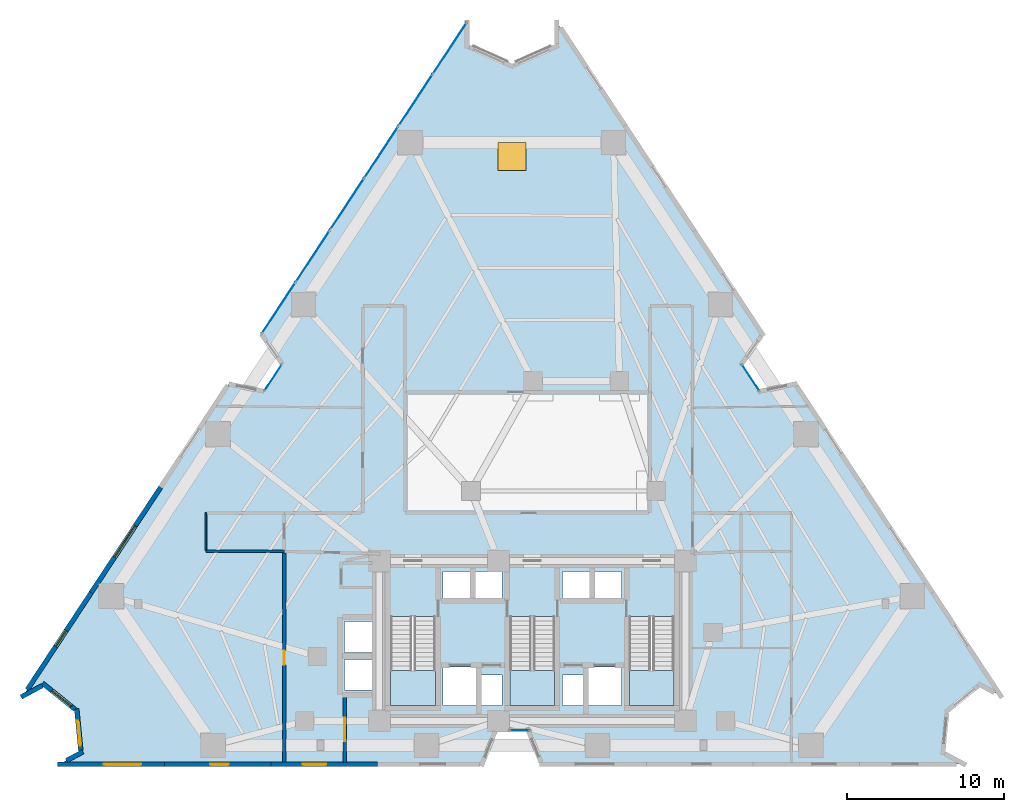
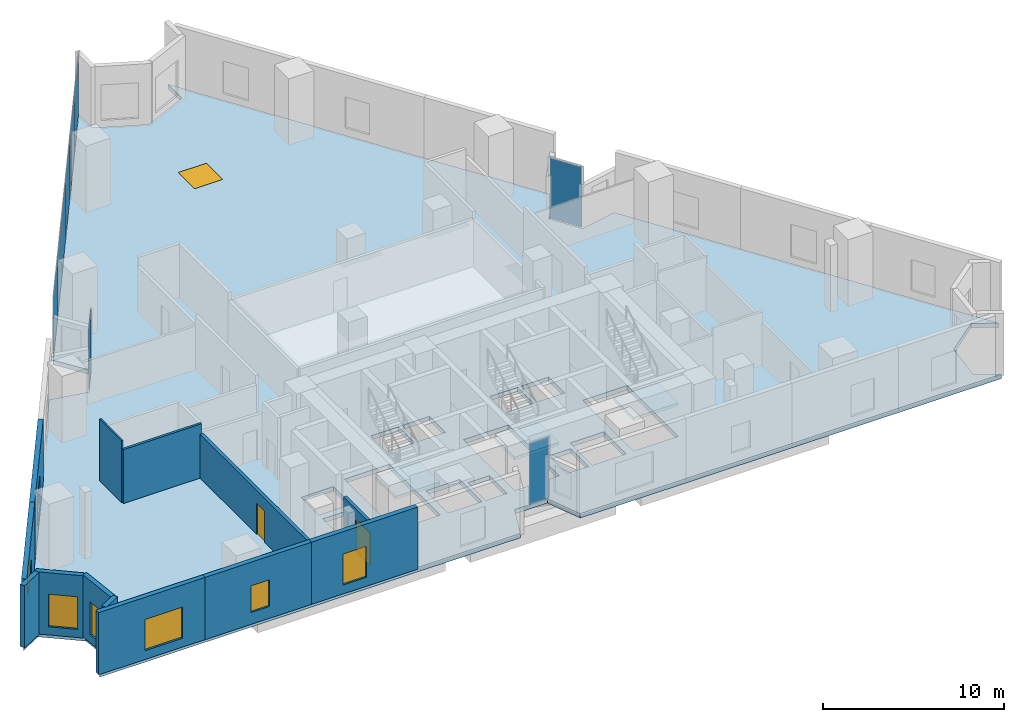
# One storey, part 6 of 12: 13 walls, 9 plates, 8 windows, 4 slabs, 2 doors, 10 openings, 9 elements without a shape of their own.
"""IFC4 building model written with IfcOpenShell, lengths in metres."""

from ifc_helpers import new_model, si_unit, direction, frame, frame_2d, origin, origin_2d, place, context, subcontext, project, spatial, polyline, rectangle, outline, extrude, material, layer, layer_set, type_object, element, fill, aggregate, save


model = new_model("IFC4")

# Units and contexts
model_context = context("Model", 3, precision=1e-05, world=origin(), true_north=direction((0.0, 1.0)))
body_context = subcontext(model_context, "Body", "Model", "MODEL_VIEW")
ifc_project = project(units=[si_unit("LENGTHUNIT", "METRE"), si_unit("AREAUNIT", "SQUARE_METRE"), si_unit("VOLUMEUNIT", "CUBIC_METRE"), si_unit("PLANEANGLEUNIT", "RADIAN"), si_unit("MASSUNIT", "GRAM", prefix="KILO")], contexts=[model_context])

# Site, building, storey
site_placement = place(None, origin())
site = spatial("IfcSite", under=ifc_project, at=site_placement, CompositionType="ELEMENT")
building_placement = place(site_placement, origin())
building = spatial("IfcBuilding", under=site, at=building_placement, Name="Almagre Mirador Tower", CompositionType="ELEMENT")
storey_placement = place(building_placement, frame((0.0, 0.0, 12.89990234375)))
storey = spatial("IfcBuildingStorey", under=building, at=storey_placement, Name="L02", CompositionType="ELEMENT", Elevation=12.89990234375)

# Curtain wall, plate
ifc_material_1 = material(Name="Black anodized aluminium", Category="aluminium")
ifc_layer_1 = layer(ifc_material_1, 0.169921875)
ifc_layer_set_1 = layer_set([ifc_layer_1], Name="Black anodized aluminium")
curtain_wall_type_1 = type_object("IfcCurtainWallType", Name="CW-CRS-SYS", PredefinedType="NOTDEFINED", material=ifc_layer_set_1)
curtain_wall_1_placement = place(storey_placement, origin())
curtain_wall_1 = element("IfcCurtainWall", 1, at=curtain_wall_1_placement, inside=storey, type_object=curtain_wall_type_1, Name="L02 vertical crease curtain wall 01", PredefinedType="NOTDEFINED")
ifc_material_2 = material(Name="Dark solar-control laminated hurricane glass", Category="glass")
ifc_layer_2 = layer(ifc_material_2, 0.028076171875)
ifc_layer_set_2 = layer_set([ifc_layer_2], Name="Dark solar-control laminated hurricane glass")
plate_type_1 = type_object("IfcPlateType", Name="PLT-GLZ-28", PredefinedType="CURTAIN_PANEL", material=ifc_layer_set_2)
plate_1_placement = place(storey_placement, frame((20.794921875, 26.4169921875, 0.06005859375), z_axis=(0.0, 0.0, 1.0), x_axis=(0.550055665535, 0.835127993072, 0.0)))
plate_1 = element("IfcPlate", 2, at=plate_1_placement, type_object=plate_type_1, Name="CW-4 panel 1.1", PredefinedType="CURTAIN_PANEL", context=body_context, shape_type="SweptSolid", body=[
    extrude(rectangle(XDim=1.970703125, YDim=0.028076171875, at=origin_2d()), origin(), (0.0, 0.0, 1.0), 4.080078125),
])
aggregate(curtain_wall_1, [plate_1])

curtain_wall_2_placement = place(storey_placement, origin())
curtain_wall_2 = element("IfcCurtainWall", 3, at=curtain_wall_2_placement, inside=storey, type_object=curtain_wall_type_1, Name="L02 vertical crease curtain wall 05", PredefinedType="NOTDEFINED")
plate_2_placement = place(storey_placement, frame((51.205078125, 26.4169921875, 0.06005859375), z_axis=(0.0, 0.0, 1.0), x_axis=(0.550055665535, -0.835127993072, 0.0)))
plate_2 = element("IfcPlate", 4, at=plate_2_placement, type_object=plate_type_1, Name="CW-4 panel 1.1", PredefinedType="CURTAIN_PANEL", context=body_context, shape_type="SweptSolid", body=[
    extrude(rectangle(XDim=1.970703125, YDim=0.028076171875, at=origin_2d()), origin(), (0.0, 0.0, 1.0), 4.080078125),
])
aggregate(curtain_wall_2, [plate_2])

curtain_wall_3_placement = place(storey_placement, origin())
curtain_wall_3 = element("IfcCurtainWall", 5, at=curtain_wall_3_placement, inside=storey, type_object=curtain_wall_type_1, Name="L02 vertical crease curtain wall 06", PredefinedType="NOTDEFINED")
plate_3_placement = place(storey_placement, frame((36.49853515625, 3.949951171875, 0.06005859375), z_axis=(0.0, 0.0, 1.0), x_axis=(-1.0, 0.0, 0.0)))
plate_3 = element("IfcPlate", 6, at=plate_3_placement, type_object=plate_type_1, Name="CW-4 panel 1.1", PredefinedType="CURTAIN_PANEL", context=body_context, shape_type="SweptSolid", body=[
    extrude(rectangle(XDim=1.2529296875, YDim=0.028076171875, at=origin_2d()), origin(), (0.0, 0.0, 1.0), 4.080078125),
])
aggregate(curtain_wall_3, [plate_3])

# Curtain wall, plates
ifc_material_3 = material(Name="Black anodized aluminium", Category="aluminium")
ifc_layer_3 = layer(ifc_material_3, 0.219970703125)
ifc_layer_set_3 = layer_set([ifc_layer_3], Name="Black anodized aluminium")
curtain_wall_type_2 = type_object("IfcCurtainWallType", Name="CW-POD-SYS", PredefinedType="NOTDEFINED", material=ifc_layer_set_3)
curtain_wall_4_placement = place(storey_placement, origin())
curtain_wall_4 = element("IfcCurtainWall", 7, at=curtain_wall_4_placement, inside=storey, type_object=curtain_wall_type_2, Name="L02 curtain wall run 02", PredefinedType="NOTDEFINED")
ifc_material_4 = material(Name="Dark solar-control laminated hurricane glass", Category="glass")
ifc_layer_4 = layer(ifc_material_4, 0.035888671875)
ifc_layer_set_4 = layer_set([ifc_layer_4], Name="Dark solar-control laminated hurricane glass")
plate_type_2 = type_object("IfcPlateType", Name="PLT-GLZ-36", PredefinedType="CURTAIN_PANEL", material=ifc_layer_set_4)
plate_4_placement = place(storey_placement, frame((21.145751953125, 30.857421875, 0.06494140625), z_axis=(0.0, 0.0, 1.0), x_axis=(0.550232464181, 0.835011518101, 0.0)))
plate_4 = element("IfcPlate", 8, at=plate_4_placement, type_object=plate_type_2, Name="CW-1 panel 1.1", PredefinedType="CURTAIN_PANEL", context=body_context, shape_type="SweptSolid", body=[
    extrude(rectangle(XDim=3.861328125, YDim=0.035888671875, at=origin_2d()), origin(), (0.0, 0.0, 1.0), 4.070068359375),
])
plate_5_placement = place(storey_placement, frame((23.308837890625, 34.14013671875, 0.06494140625), z_axis=(0.0, 0.0, 1.0), x_axis=(0.550232464181, 0.835011518101, 0.0)))
plate_5 = element("IfcPlate", 9, at=plate_5_placement, type_object=plate_type_2, Name="CW-1 panel 2.1", PredefinedType="CURTAIN_PANEL", context=body_context, shape_type="SweptSolid", body=[
    extrude(rectangle(XDim=3.861328125, YDim=0.035888671875, at=origin_2d()), origin(), (0.0, 0.0, 1.0), 4.070068359375),
])
aggregate(curtain_wall_4, [plate_4, plate_5])

curtain_wall_5_placement = place(storey_placement, origin())
curtain_wall_5 = element("IfcCurtainWall", 10, at=curtain_wall_5_placement, inside=storey, type_object=curtain_wall_type_2, Name="L02 curtain wall run 03", PredefinedType="NOTDEFINED")
plate_6_placement = place(storey_placement, frame((25.510498046875, 37.481201171875, 0.06494140625), z_axis=(0.0, 0.0, 1.0), x_axis=(0.550229466396, 0.835013493489, 0.0)))
plate_6 = element("IfcPlate", 11, at=plate_6_placement, type_object=plate_type_2, Name="CW-1 panel 1.1", PredefinedType="CURTAIN_PANEL", context=body_context, shape_type="SweptSolid", body=[
    extrude(rectangle(XDim=3.861083984375, YDim=0.035888671875, at=origin_2d()), origin(), (0.0, 0.0, 1.0), 4.070068359375),
])
plate_7_placement = place(storey_placement, frame((27.673583984375, 40.763671875, 0.06494140625), z_axis=(0.0, 0.0, 1.0), x_axis=(0.550229466396, 0.835013493489, 0.0)))
plate_7 = element("IfcPlate", 12, at=plate_7_placement, type_object=plate_type_2, Name="CW-1 panel 2.1", PredefinedType="CURTAIN_PANEL", context=body_context, shape_type="SweptSolid", body=[
    extrude(rectangle(XDim=3.861083984375, YDim=0.035888671875, at=origin_2d()), origin(), (0.0, 0.0, 1.0), 4.070068359375),
])
aggregate(curtain_wall_5, [plate_6, plate_7])

curtain_wall_6_placement = place(storey_placement, origin())
curtain_wall_6 = element("IfcCurtainWall", 13, at=curtain_wall_6_placement, inside=storey, type_object=curtain_wall_type_2, Name="L02 curtain wall run 04", PredefinedType="NOTDEFINED")
plate_8_placement = place(storey_placement, frame((29.875, 44.104736328125, 0.06494140625), z_axis=(0.0, 0.0, 1.0), x_axis=(0.550232464181, 0.835011518101, 0.0)))
plate_8 = element("IfcPlate", 14, at=plate_8_placement, type_object=plate_type_2, Name="CW-1 panel 1.1", PredefinedType="CURTAIN_PANEL", context=body_context, shape_type="SweptSolid", body=[
    extrude(rectangle(XDim=3.861328125, YDim=0.035888671875, at=origin_2d()), origin(), (0.0, 0.0, 1.0), 4.070068359375),
])
plate_9_placement = place(storey_placement, frame((32.0380859375, 47.387451171875, 0.06494140625), z_axis=(0.0, 0.0, 1.0), x_axis=(0.550232464181, 0.835011518101, 0.0)))
plate_9 = element("IfcPlate", 15, at=plate_9_placement, type_object=plate_type_2, Name="CW-1 panel 2.1", PredefinedType="CURTAIN_PANEL", context=body_context, shape_type="SweptSolid", body=[
    extrude(rectangle(XDim=3.861328125, YDim=0.035888671875, at=origin_2d()), origin(), (0.0, 0.0, 1.0), 4.070068359375),
])
aggregate(curtain_wall_6, [plate_8, plate_9])

# Slab, opening, window
ifc_material_5 = material(Name="Concrete C45/55", Category="concrete")
ifc_layer_5 = layer(ifc_material_5, 0.300048828125)
ifc_layer_set_5 = layer_set([ifc_layer_5], Name="Concrete C45/55")
slab_type_1 = type_object("IfcSlabType", Name="SLB-FLR-300", PredefinedType="FLOOR", material=ifc_layer_set_5)
slab_1_placement = place(storey_placement, frame((0.0, 0.0, -0.2998046875)))
slab_1 = element("IfcSlab", 16, at=slab_1_placement, inside=storey, type_object=slab_type_1, Name="L02 structural floor slab", PredefinedType="FLOOR", context=body_context, shape_type="SweptSolid", body=[
    extrude(outline(polyline([(4.861083984375, 6.14208984375), (6.2080078125, 6.867919921875), (8.2900390625, 5.18798828125), (8.547119140625, 2.52587890625), (7.199951171875, 1.800048828125), (34.10009765625, 1.800048828125), (34.955078125, 3.949951171875), (37.044921875, 3.949951171875), (37.89990234375, 1.800048828125), (64.800048828125, 1.800048828125), (63.452880859375, 2.52587890625), (63.7099609375, 5.18798828125), (65.7919921875, 6.867919921875), (67.138916015625, 6.14208984375), (54.044921875, 26.012939453125), (51.780029296875, 25.5439453125), (50.6298828125, 27.2900390625), (51.955078125, 29.18701171875), (38.861083984375, 49.05810546875), (38.861083984375, 47.528076171875), (36.0, 46.256103515625), (33.138916015625, 47.528076171875), (33.138916015625, 49.05810546875), (20.044921875, 29.18701171875), (21.3701171875, 27.2900390625), (20.219970703125, 25.5439453125), (17.955078125, 26.012939453125), (4.861083984375, 6.14208984375)]), holes=[polyline([(43.47509765625, 11.196044921875), (46.324951171875, 11.196044921875), (46.324951171875, 5.550048828125), (43.47509765625, 5.550048828125), (43.47509765625, 11.196044921875)]), polyline([(40.820068359375, 5.52001953125), (40.820068359375, 7.97998046875), (42.97998046875, 7.97998046875), (42.97998046875, 5.52001953125), (40.820068359375, 5.52001953125)]), polyline([(41.219970703125, 12.320068359375), (41.219970703125, 14.080078125), (42.97998046875, 14.080078125), (42.97998046875, 12.320068359375), (41.219970703125, 12.320068359375)]), polyline([(39.219970703125, 12.320068359375), (39.219970703125, 14.080078125), (40.97998046875, 14.080078125), (40.97998046875, 12.320068359375), (39.219970703125, 12.320068359375)]), polyline([(39.219970703125, 5.52001953125), (39.219970703125, 7.47998046875), (40.580078125, 7.47998046875), (40.580078125, 5.52001953125), (39.219970703125, 5.52001953125)]), polyline([(35.875, 11.196044921875), (38.72509765625, 11.196044921875), (38.72509765625, 5.550048828125), (35.875, 5.550048828125), (35.875, 11.196044921875)]), polyline([(35.3798828125, 5.52001953125), (34.02001953125, 5.52001953125), (34.02001953125, 7.47998046875), (35.3798828125, 7.47998046875), (35.3798828125, 5.52001953125)]), polyline([(35.3798828125, 12.320068359375), (33.6201171875, 12.320068359375), (33.6201171875, 14.080078125), (35.3798828125, 14.080078125), (35.3798828125, 12.320068359375)]), polyline([(31.6201171875, 5.52001953125), (31.6201171875, 7.97998046875), (33.780029296875, 7.97998046875), (33.780029296875, 5.52001953125), (31.6201171875, 5.52001953125)]), polyline([(31.6201171875, 12.320068359375), (31.6201171875, 14.080078125), (33.3798828125, 14.080078125), (33.3798828125, 12.320068359375), (31.6201171875, 12.320068359375)]), polyline([(28.27490234375, 5.550048828125), (28.27490234375, 11.196044921875), (31.125, 11.196044921875), (31.125, 5.550048828125), (28.27490234375, 5.550048828125)]), polyline([(25.320068359375, 6.52001953125), (25.320068359375, 8.47998046875), (27.3798828125, 8.47998046875), (27.3798828125, 6.52001953125), (25.320068359375, 6.52001953125)]), polyline([(25.320068359375, 8.919921875), (25.320068359375, 10.8798828125), (27.3798828125, 10.8798828125), (27.3798828125, 8.919921875), (25.320068359375, 8.919921875)])]), origin(), (0.0, 0.0, 1.0), 0.2998046875),
])
opening_1_placement = place(slab_1_placement, frame((36.0, 40.5, 0.0)))
opening_1 = element("IfcOpeningElement", 17, at=opening_1_placement, cuts=slab_1, Name="Opening SK-01", PredefinedType="OPENING", context=body_context, shape_type="SweptSolid", body=[
    extrude(rectangle(XDim=1.800048828125, YDim=1.800048828125, at=origin_2d()), origin(), (0.0, 0.0, 1.0), 0.2998046875),
])
ifc_material_6 = material(Name="Dark solar-control laminated hurricane glass", Category="glass")
window_type_1 = type_object("IfcWindowType", Name="SKY-1800X1800", PartitioningType="SINGLE_PANEL", PredefinedType="SKYLIGHT", material=ifc_material_6)
window_1_placement = place(opening_1_placement, frame((0.0, 0.0, 0.249755859375)))
window_1 = element("IfcWindow", 18, at=window_1_placement, inside=storey, type_object=window_type_1, Name="L02 atrium lightwell skylight 2", OverallHeight=1.800048828125, OverallWidth=1.800048828125, PartitioningType="SINGLE_PANEL", PredefinedType="SKYLIGHT", context=body_context, shape_type="SweptSolid", body=[
    extrude(rectangle(XDim=1.800048828125, YDim=1.800048828125, at=origin_2d()), origin(), (0.0, 0.0, 1.0), 0.050048828125),
])
fill(opening_1, window_1)

# Stair, slab
ifc_material_7 = material(Name="Concrete C45/55", Category="concrete")
stair_type = type_object("IfcStairType", Name="STR-DL-4500", PredefinedType="HALF_TURN_STAIR", material=ifc_material_7)
stair_1_placement = place(storey_placement, origin())
stair_1 = element("IfcStair", 19, at=stair_1_placement, inside=storey, type_object=stair_type, Name="L02 Protected exit stair ST-1", PredefinedType="HALF_TURN_STAIR")
ifc_material_8 = material(Name="Concrete C45/55", Category="concrete")
ifc_layer_6 = layer(ifc_material_8, 0.199951171875)
ifc_layer_set_6 = layer_set([ifc_layer_6], Name="Concrete C45/55")
slab_type_2 = type_object("IfcSlabType", Name="SLB-LND-200", PredefinedType="LANDING", material=ifc_layer_set_6)
slab_2_placement = place(storey_placement, frame((0.0, 0.0, 2.050048828125)))
slab_2 = element("IfcSlab", 20, at=slab_2_placement, type_object=slab_type_2, Name="ST-1 landing 1", PredefinedType="LANDING", context=body_context, shape_type="SweptSolid", body=[
    extrude(outline(polyline([(28.27490234375, 7.780029296875), (28.27490234375, 5.550048828125), (31.125, 5.550048828125), (31.125, 7.780029296875), (28.27490234375, 7.780029296875)])), origin(), (0.0, 0.0, 1.0), 0.199951171875),
])
aggregate(stair_1, [slab_2])

stair_2_placement = place(storey_placement, origin())
stair_2 = element("IfcStair", 21, at=stair_2_placement, inside=storey, type_object=stair_type, Name="L02 Protected exit stair ST-2", PredefinedType="HALF_TURN_STAIR")
slab_3_placement = place(storey_placement, frame((0.0, 0.0, 2.050048828125)))
slab_3 = element("IfcSlab", 22, at=slab_3_placement, type_object=slab_type_2, Name="ST-2 landing 1", PredefinedType="LANDING", context=body_context, shape_type="SweptSolid", body=[
    extrude(outline(polyline([(35.875, 7.780029296875), (35.875, 5.550048828125), (38.72509765625, 5.550048828125), (38.72509765625, 7.780029296875), (35.875, 7.780029296875)])), origin(), (0.0, 0.0, 1.0), 0.199951171875),
])
aggregate(stair_2, [slab_3])

stair_3_placement = place(storey_placement, origin())
stair_3 = element("IfcStair", 23, at=stair_3_placement, inside=storey, type_object=stair_type, Name="L02 Protected exit stair ST-3", PredefinedType="HALF_TURN_STAIR")
slab_4_placement = place(storey_placement, frame((0.0, 0.0, 2.050048828125)))
slab_4 = element("IfcSlab", 24, at=slab_4_placement, type_object=slab_type_2, Name="ST-3 landing 1", PredefinedType="LANDING", context=body_context, shape_type="SweptSolid", body=[
    extrude(outline(polyline([(43.47509765625, 7.780029296875), (43.47509765625, 5.550048828125), (46.324951171875, 5.550048828125), (46.324951171875, 7.780029296875), (43.47509765625, 7.780029296875)])), origin(), (0.0, 0.0, 1.0), 0.199951171875),
])
aggregate(stair_3, [slab_4])

# Wall, opening, window
ifc_material_9 = material(Name="Precast concrete C50/60", Category="concrete")
ifc_layer_7 = layer(ifc_material_9, 0.300048828125)
ifc_layer_set_7 = layer_set([ifc_layer_7], Name="Precast concrete C50/60")
wall_type_1 = type_object("IfcWallType", Name="WAL-EXT-300", PredefinedType="SOLIDWALL", material=ifc_layer_set_7)
wall_1_placement = place(storey_placement, frame((27.445068359375, 1.800048828125, 0.0), z_axis=(0.0, 0.0, 1.0), x_axis=(-1.0, 0.0, 0.0)))
wall_1 = element("IfcWall", 25, at=wall_1_placement, inside=storey, type_object=wall_type_1, Name="L02 expressed almagre precast frame wall 26", PredefinedType="SOLIDWALL", context=body_context, shape_type="SweptSolid", body=[
    extrude(rectangle(XDim=6.795166015625, YDim=0.300048828125, at=frame_2d((3.3974609375, 0.0))), origin(), (0.0, 0.0, 1.0), 4.2001953125),
])
opening_2_placement = place(wall_1_placement, frame((3.27490234375, 0.0, 0.60009765625)))
opening_2 = element("IfcOpeningElement", 26, at=opening_2_placement, cuts=wall_1, Name="Opening WN-03", PredefinedType="OPENING", context=body_context, shape_type="SweptSolid", body=[
    extrude(rectangle(XDim=1.5, YDim=2.10009765625, at=frame_2d((0.75, 1.050048828125))), frame((0.0, 0.159902, 0.0), z_axis=(0.0, -1.0, 0.0), x_axis=(1.0, 0.0, 0.0)), (0.0, 0.0, 1.0), 0.320049),
])
ifc_material_10 = material(Name="Dark solar-control laminated hurricane glass", Category="glass")
window_type_2 = type_object("IfcWindowType", Name="WIN-1500X2100", PartitioningType="DOUBLE_PANEL_VERTICAL", PredefinedType="WINDOW", material=ifc_material_10)
window_2_placement = place(opening_2_placement, origin())
window_2 = element("IfcWindow", 27, at=window_2_placement, inside=storey, type_object=window_type_2, Name="L02 recessed hurricane window L02-FOY-3", OverallHeight=2.10009765625, OverallWidth=1.5, PartitioningType="SINGLE_PANEL", PredefinedType="WINDOW", context=body_context, shape_type="SweptSolid", body=[
    extrude(rectangle(XDim=1.5, YDim=2.10009765625, at=frame_2d((0.75, 1.050048828125))), frame((0.0, 0.030029296875, 0.0), z_axis=(0.0, -1.0, 0.0), x_axis=(1.0, 0.0, 0.0)), (0.0, 0.0, 1.0), 0.06005859375),
])
fill(opening_2, window_2)

wall_2_placement = place(storey_placement, frame((20.64990234375, 1.800048828125, 0.0), z_axis=(0.0, 0.0, 1.0), x_axis=(-1.0, 0.0, 0.0)))
wall_2 = element("IfcWall", 28, at=wall_2_placement, inside=storey, type_object=wall_type_1, Name="L02 expressed almagre precast frame wall 27", PredefinedType="SOLIDWALL", context=body_context, shape_type="SweptSolid", body=[
    extrude(rectangle(XDim=6.794921875, YDim=0.300048828125, at=frame_2d((3.3974609375, 0.0))), origin(), (0.0, 0.0, 1.0), 4.2001953125),
])
opening_3_placement = place(wall_2_placement, frame((2.675048828125, 0.0, 0.800048828125)))
opening_3 = element("IfcOpeningElement", 29, at=opening_3_placement, cuts=wall_2, Name="Opening WN-04", PredefinedType="OPENING", context=body_context, shape_type="SweptSolid", body=[
    extrude(rectangle(XDim=1.199951171875, YDim=1.800048828125, at=frame_2d((0.60009765625, 0.89990234375))), frame((0.0, 0.159902, 0.0), z_axis=(0.0, -1.0, 0.0), x_axis=(1.0, 0.0, 0.0)), (0.0, 0.0, 1.0), 0.320049),
])
ifc_material_11 = material(Name="Dark solar-control laminated hurricane glass", Category="glass")
window_type_3 = type_object("IfcWindowType", Name="WIN-1200X1800", PartitioningType="SINGLE_PANEL", PredefinedType="WINDOW", material=ifc_material_11)
window_3_placement = place(opening_3_placement, origin())
window_3 = element("IfcWindow", 30, at=window_3_placement, inside=storey, type_object=window_type_3, Name="L02 recessed hurricane window L02-TRN-4", OverallHeight=1.800048828125, OverallWidth=1.199951171875, PartitioningType="SINGLE_PANEL", PredefinedType="WINDOW", context=body_context, shape_type="SweptSolid", body=[
    extrude(rectangle(XDim=1.199951171875, YDim=1.800048828125, at=frame_2d((0.60009765625, 0.89990234375))), frame((0.0, 0.030029296875, 0.0), z_axis=(0.0, -1.0, 0.0), x_axis=(1.0, 0.0, 0.0)), (0.0, 0.0, 1.0), 0.06005859375),
])
fill(opening_3, window_3)

wall_3_placement = place(storey_placement, frame((13.85498046875, 1.800048828125, 0.0), z_axis=(0.0, 0.0, 1.0), x_axis=(-1.0, 0.0, 0.0)))
wall_3 = element("IfcWall", 31, at=wall_3_placement, inside=storey, type_object=wall_type_1, Name="L02 expressed almagre precast frame wall 28", PredefinedType="SOLIDWALL", context=body_context, shape_type="SweptSolid", body=[
    extrude(rectangle(XDim=6.794921875, YDim=0.300048828125, at=frame_2d((3.3974609375, 0.0))), origin(), (0.0, 0.0, 1.0), 4.2001953125),
])
opening_4_placement = place(wall_3_placement, frame((1.449951171875, 0.0, 0.60009765625)))
opening_4 = element("IfcOpeningElement", 32, at=opening_4_placement, cuts=wall_3, Name="Opening WN-02", PredefinedType="OPENING", context=body_context, shape_type="SweptSolid", body=[
    extrude(rectangle(XDim=2.39990234375, YDim=2.10009765625, at=frame_2d((1.199951171875, 1.050048828125))), frame((0.0, 0.159902, 0.0), z_axis=(0.0, -1.0, 0.0), x_axis=(1.0, 0.0, 0.0)), (0.0, 0.0, 1.0), 0.320049),
])
ifc_material_12 = material(Name="Dark solar-control laminated hurricane glass", Category="glass")
window_type_4 = type_object("IfcWindowType", Name="WIN-2400X2100", PartitioningType="TRIPLE_PANEL_VERTICAL", PredefinedType="WINDOW", material=ifc_material_12)
window_4_placement = place(opening_4_placement, origin())
window_4 = element("IfcWindow", 33, at=window_4_placement, inside=storey, type_object=window_type_4, Name="L02 recessed hurricane window L02-TRN-4", OverallHeight=2.10009765625, OverallWidth=2.39990234375, PartitioningType="SINGLE_PANEL", PredefinedType="WINDOW", context=body_context, shape_type="SweptSolid", body=[
    extrude(rectangle(XDim=2.39990234375, YDim=2.10009765625, at=frame_2d((1.199951171875, 1.050048828125))), frame((0.0, 0.030029296875, 0.0), z_axis=(0.0, -1.0, 0.0), x_axis=(1.0, 0.0, 0.0)), (0.0, 0.0, 1.0), 0.06005859375),
])
fill(opening_4, window_4)

# Wall
wall_4_placement = place(storey_placement, frame((7.62255859375, 2.02783203125, 0.0), z_axis=(0.0, 0.0, 1.0), x_axis=(0.880345902198, 0.474332259586, 0.0)))
element("IfcWall", 34, at=wall_4_placement, inside=storey, type_object=wall_type_1, Name="L02 expressed almagre precast frame wall 29", PredefinedType="SOLIDWALL", context=body_context, shape_type="SweptSolid", body=[
    extrude(rectangle(XDim=1.18994140625, YDim=0.300048828125, at=frame_2d((0.594970703125, 0.0))), origin(), (0.0, 0.0, 1.0), 4.2001953125),
])

# Wall, opening, window
wall_5_placement = place(storey_placement, frame((8.5341796875, 2.660400390625, 0.0), z_axis=(0.0, 0.0, 1.0), x_axis=(-0.096129088581, 0.995368875507, 0.0)))
wall_5 = element("IfcWall", 35, at=wall_5_placement, inside=storey, type_object=wall_type_1, Name="L02 expressed almagre precast frame wall 30", PredefinedType="SOLIDWALL", context=body_context, shape_type="SweptSolid", body=[
    extrude(rectangle(XDim=2.679443359375, YDim=0.300048828125, at=frame_2d((1.33984375, 0.0))), origin(), (0.0, 0.0, 1.0), 4.2001953125),
])
opening_5_placement = place(wall_5_placement, frame((0.324951171875, 0.0, 0.550048828125)))
opening_5 = element("IfcOpeningElement", 36, at=opening_5_placement, cuts=wall_5, Name="Opening WN-06", PredefinedType="OPENING", context=body_context, shape_type="SweptSolid", body=[
    extrude(rectangle(XDim=1.60009765625, YDim=2.199951171875, at=frame_2d((0.800048828125, 1.10009765625))), frame((0.0, 0.159902, 0.0), z_axis=(0.0, -1.0, 0.0), x_axis=(1.0, 0.0, 0.0)), (0.0, 0.0, 1.0), 0.320049),
])
ifc_material_13 = material(Name="Dark solar-control laminated hurricane glass", Category="glass")
window_type_5 = type_object("IfcWindowType", Name="WIN-1600X2200", PartitioningType="DOUBLE_PANEL_VERTICAL", PredefinedType="WINDOW", material=ifc_material_13)
window_5_placement = place(opening_5_placement, origin())
window_5 = element("IfcWindow", 37, at=window_5_placement, inside=storey, type_object=window_type_5, Name="L02 recessed hurricane window L02-TRN-4", OverallHeight=2.199951171875, OverallWidth=1.60009765625, PartitioningType="SINGLE_PANEL", PredefinedType="WINDOW", context=body_context, shape_type="SweptSolid", body=[
    extrude(rectangle(XDim=1.60009765625, YDim=2.199951171875, at=frame_2d((0.800048828125, 1.10009765625))), frame((0.0, 0.030029296875, 0.0), z_axis=(0.0, -1.0, 0.0), x_axis=(1.0, 0.0, 0.0)), (0.0, 0.0, 1.0), 0.06005859375),
])
fill(opening_5, window_5)

wall_6_placement = place(storey_placement, frame((8.17333984375, 5.2822265625, 0.0), z_axis=(0.0, 0.0, 1.0), x_axis=(-0.778261403538, 0.627940433292, 0.0)))
wall_6 = element("IfcWall", 38, at=wall_6_placement, inside=storey, type_object=wall_type_1, Name="L02 expressed almagre precast frame wall 31", PredefinedType="SOLIDWALL", context=body_context, shape_type="SweptSolid", body=[
    extrude(rectangle(XDim=2.665283203125, YDim=0.300048828125, at=frame_2d((1.33251953125, 0.0))), origin(), (0.0, 0.0, 1.0), 4.2001953125),
])
opening_6_placement = place(wall_6_placement, frame((0.31005859375, 0.0, 0.550048828125)))
opening_6 = element("IfcOpeningElement", 39, at=opening_6_placement, cuts=wall_6, Name="Opening WN-06", PredefinedType="OPENING", context=body_context, shape_type="SweptSolid", body=[
    extrude(rectangle(XDim=1.60009765625, YDim=2.199951171875, at=frame_2d((0.800048828125, 1.10009765625))), frame((0.0, 0.159902, 0.0), z_axis=(0.0, -1.0, 0.0), x_axis=(1.0, 0.0, 0.0)), (0.0, 0.0, 1.0), 0.320049),
])
window_6_placement = place(opening_6_placement, origin())
window_6 = element("IfcWindow", 40, at=window_6_placement, inside=storey, type_object=window_type_5, Name="L02 recessed hurricane window L02-TRN-4", OverallHeight=2.199951171875, OverallWidth=1.60009765625, PartitioningType="SINGLE_PANEL", PredefinedType="WINDOW", context=body_context, shape_type="SweptSolid", body=[
    extrude(rectangle(XDim=1.60009765625, YDim=2.199951171875, at=frame_2d((0.800048828125, 1.10009765625))), frame((0.0, 0.030029296875, 0.0), z_axis=(0.0, -1.0, 0.0), x_axis=(1.0, 0.0, 0.0)), (0.0, 0.0, 1.0), 0.06005859375),
])
fill(opening_6, window_6)

# Wall
wall_7_placement = place(storey_placement, frame((6.089111328125, 6.803955078125, 0.0), z_axis=(0.0, 0.0, 1.0), x_axis=(-0.880297407877, -0.47442225252, 0.0)))
element("IfcWall", 41, at=wall_7_placement, inside=storey, type_object=wall_type_1, Name="L02 expressed almagre precast frame wall 32", PredefinedType="SOLIDWALL", context=body_context, shape_type="SweptSolid", body=[
    extrude(rectangle(XDim=1.53515625, YDim=0.300048828125, at=frame_2d((0.767578125, 0.0))), origin(), (0.0, 0.0, 1.0), 4.2001953125),
])

# Wall, opening, window
wall_8_placement = place(storey_placement, frame((5.125, 6.542724609375, 0.0), z_axis=(0.0, 0.0, 1.0), x_axis=(0.550226654165, 0.835015346594, 0.0)))
wall_8 = element("IfcWall", 42, at=wall_8_placement, inside=storey, type_object=wall_type_1, Name="L02 expressed almagre precast frame wall 33", PredefinedType="SOLIDWALL", context=body_context, shape_type="SweptSolid", body=[
    extrude(rectangle(XDim=7.406005859375, YDim=0.300048828125, at=frame_2d((3.703125, 0.0))), origin(), (0.0, 0.0, 1.0), 4.2001953125),
])
opening_7_placement = place(wall_8_placement, frame((3.304931640625, 0.0, 0.800048828125)))
opening_7 = element("IfcOpeningElement", 43, at=opening_7_placement, cuts=wall_8, Name="Opening WN-04", PredefinedType="OPENING", context=body_context, shape_type="SweptSolid", body=[
    extrude(rectangle(XDim=1.199951171875, YDim=1.800048828125, at=frame_2d((0.60009765625, 0.89990234375))), frame((0.0, 0.159902, 0.0), z_axis=(0.0, -1.0, 0.0), x_axis=(1.0, 0.0, 0.0)), (0.0, 0.0, 1.0), 0.320049),
])
window_7_placement = place(opening_7_placement, origin())
window_7 = element("IfcWindow", 44, at=window_7_placement, inside=storey, type_object=window_type_3, Name="L02 recessed hurricane window L02-TRN-4", OverallHeight=1.800048828125, OverallWidth=1.199951171875, PartitioningType="SINGLE_PANEL", PredefinedType="WINDOW", context=body_context, shape_type="SweptSolid", body=[
    extrude(rectangle(XDim=1.199951171875, YDim=1.800048828125, at=frame_2d((0.60009765625, 0.89990234375))), frame((0.0, 0.030029296875, 0.0), z_axis=(0.0, -1.0, 0.0), x_axis=(1.0, 0.0, 0.0)), (0.0, 0.0, 1.0), 0.06005859375),
])
fill(opening_7, window_7)

wall_9_placement = place(storey_placement, frame((9.199951171875, 12.726806640625, 0.0), z_axis=(0.0, 0.0, 1.0), x_axis=(0.550241543324, 0.835005535311, 0.0)))
wall_9 = element("IfcWall", 45, at=wall_9_placement, inside=storey, type_object=wall_type_1, Name="L02 expressed almagre precast frame wall 34", PredefinedType="SOLIDWALL", context=body_context, shape_type="SweptSolid", body=[
    extrude(rectangle(XDim=8.025634765625, YDim=0.300048828125, at=frame_2d((4.0126953125, 0.0))), origin(), (0.0, 0.0, 1.0), 4.2001953125),
])
opening_8_placement = place(wall_9_placement, frame((2.699951171875, 0.0, 0.60009765625)))
opening_8 = element("IfcOpeningElement", 46, at=opening_8_placement, cuts=wall_9, Name="Opening WN-02", PredefinedType="OPENING", context=body_context, shape_type="SweptSolid", body=[
    extrude(rectangle(XDim=2.39990234375, YDim=2.10009765625, at=frame_2d((1.199951171875, 1.050048828125))), frame((0.0, 0.159902, 0.0), z_axis=(0.0, -1.0, 0.0), x_axis=(1.0, 0.0, 0.0)), (0.0, 0.0, 1.0), 0.320049),
])
window_8_placement = place(opening_8_placement, origin())
window_8 = element("IfcWindow", 47, at=window_8_placement, inside=storey, type_object=window_type_4, Name="L02 recessed hurricane window L02-TRN-4", OverallHeight=2.10009765625, OverallWidth=2.39990234375, PartitioningType="SINGLE_PANEL", PredefinedType="WINDOW", context=body_context, shape_type="SweptSolid", body=[
    extrude(rectangle(XDim=2.39990234375, YDim=2.10009765625, at=frame_2d((1.199951171875, 1.050048828125))), frame((0.0, 0.030029296875, 0.0), z_axis=(0.0, -1.0, 0.0), x_axis=(1.0, 0.0, 0.0)), (0.0, 0.0, 1.0), 0.06005859375),
])
fill(opening_8, window_8)

# Walls
ifc_material_14 = material(Name="Gypsum acoustic stud partition", Category="other")
ifc_layer_8 = layer(ifc_material_14, 0.10009765625)
ifc_layer_set_8 = layer_set([ifc_layer_8], Name="Gypsum acoustic stud partition")
wall_type_2 = type_object("IfcWallType", Name="WAL-PRT-100-CLS", PredefinedType="PARTITIONING", material=ifc_layer_set_8)
wall_10_placement = place(storey_placement, frame((16.5, 15.409912109375, 0.0), z_axis=(0.0, 0.0, 1.0), x_axis=(0.0, 1.0, 0.0)))
element("IfcWall", 48, at=wall_10_placement, inside=storey, type_object=wall_type_2, Name="L02 interior partition 026", PredefinedType="PARTITIONING", context=body_context, shape_type="SweptSolid", body=[
    extrude(rectangle(XDim=2.39013671875, YDim=0.10009765625, at=frame_2d((1.195068359375, 0.0))), origin(), (0.0, 0.0, 1.0), 4.2001953125),
])
ifc_material_15 = material(Name="Gypsum acoustic stud partition", Category="other")
ifc_layer_9 = layer(ifc_material_15, 0.14990234375)
ifc_layer_set_9 = layer_set([ifc_layer_9], Name="Gypsum acoustic stud partition")
wall_type_3 = type_object("IfcWallType", Name="WAL-PRT-150-STD", PredefinedType="PARTITIONING", material=ifc_layer_set_9)
wall_11_placement = place(storey_placement, frame((21.5, 15.35009765625, 0.0), z_axis=(0.0, 0.0, 1.0), x_axis=(-1.0, 0.0, 0.0)))
element("IfcWall", 49, at=wall_11_placement, inside=storey, type_object=wall_type_3, Name="L02 interior partition 025", PredefinedType="PARTITIONING", context=body_context, shape_type="SweptSolid", body=[
    extrude(rectangle(XDim=5.0, YDim=0.14990234375, at=frame_2d((2.5, 0.0))), origin(), (0.0, 0.0, 1.0), 3.63720703125),
])

# Wall, opening, door
ifc_material_16 = material(Name="Gypsum acoustic stud partition", Category="other")
ifc_layer_10 = layer(ifc_material_16, 0.199951171875)
ifc_layer_set_10 = layer_set([ifc_layer_10], Name="Gypsum acoustic stud partition")
wall_type_4 = type_object("IfcWallType", Name="WAL-PRT-200-EI60", PredefinedType="PARTITIONING", material=ifc_layer_set_10)
wall_12_placement = place(storey_placement, frame((25.35009765625, 6.06494140625, 0.0), z_axis=(0.0, 0.0, 1.0), x_axis=(0.0, -1.0, 0.0)))
wall_12 = element("IfcWall", 50, at=wall_12_placement, inside=storey, type_object=wall_type_4, Name="L02 interior partition 016", PredefinedType="PARTITIONING", context=body_context, shape_type="SweptSolid", body=[
    extrude(rectangle(XDim=4.1650390625, YDim=0.199951171875, at=frame_2d((2.08251953125, 0.0))), origin(), (0.0, 0.0, 1.0), 2.97021484375),
])
opening_9_placement = place(wall_12_placement, frame((1.304931640625, 0.0, 0.0)))
opening_9 = element("IfcOpeningElement", 51, at=opening_9_placement, cuts=wall_12, Name="Opening ID-04", PredefinedType="OPENING", context=body_context, shape_type="SweptSolid", body=[
    extrude(rectangle(XDim=1.5, YDim=2.199951171875, at=frame_2d((0.75, 1.10009765625))), frame((0.0, 0.110098, 0.0), z_axis=(0.0, -1.0, 0.0), x_axis=(1.0, 0.0, 0.0)), (0.0, 0.0, 1.0), 0.219951),
])
ifc_material_17 = material(Name="Fire-rated hollow steel", Category="steel")
door_type_1 = type_object("IfcDoorType", Name="DOR-FD60-1500X2200", OperationType="DOUBLE_DOOR_SINGLE_SWING", PredefinedType="DOOR", material=ifc_material_17)
door_1_placement = place(opening_9_placement, origin())
door_1 = element("IfcDoor", 52, at=door_1_placement, inside=storey, type_object=door_type_1, Name="DR-0106 L02 interior door L02-GRN-1 to L02-FOY-3", OperationType="DOUBLE_DOOR_SINGLE_SWING", OverallHeight=2.199951171875, OverallWidth=1.5, PredefinedType="DOOR", context=body_context, shape_type="SweptSolid", body=[
    extrude(rectangle(XDim=1.5, YDim=2.199951171875, at=frame_2d((0.75, 1.10009765625))), frame((0.0, 0.02490234375, 0.0), z_axis=(0.0, -1.0, 0.0), x_axis=(1.0, 0.0, 0.0)), (0.0, 0.0, 1.0), 0.050048828125),
])
fill(opening_9, door_1)

wall_13_placement = place(storey_placement, frame((21.5, 15.264892578125, 0.0), z_axis=(0.0, 0.0, 1.0), x_axis=(0.0, -1.0, 0.0)))
wall_13 = element("IfcWall", 53, at=wall_13_placement, inside=storey, type_object=wall_type_4, Name="L02 interior partition 020", PredefinedType="PARTITIONING", context=body_context, shape_type="SweptSolid", body=[
    extrude(rectangle(XDim=13.364990234375, YDim=0.199951171875, at=frame_2d((6.6826171875, 0.0))), origin(), (0.0, 0.0, 1.0), 2.97021484375),
])
opening_10_placement = place(wall_13_placement, frame((6.239990234375, 0.0, 0.0)))
opening_10 = element("IfcOpeningElement", 54, at=opening_10_placement, cuts=wall_13, Name="Opening ID-03", PredefinedType="OPENING", context=body_context, shape_type="SweptSolid", body=[
    extrude(rectangle(XDim=0.89990234375, YDim=2.10009765625, at=frame_2d((0.449951171875, 1.050048828125))), frame((0.0, 0.110098, 0.0), z_axis=(0.0, -1.0, 0.0), x_axis=(1.0, 0.0, 0.0)), (0.0, 0.0, 1.0), 0.219951),
])
ifc_material_18 = material(Name="Fire-rated hollow steel", Category="steel")
door_type_2 = type_object("IfcDoorType", Name="DOR-FD60-900X2100", OperationType="NOTDEFINED", PredefinedType="DOOR", material=ifc_material_18)
door_2_placement = place(opening_10_placement, origin())
door_2 = element("IfcDoor", 55, at=door_2_placement, inside=storey, type_object=door_type_2, Name="DR-0107 L02 interior door L02-FOY-3 to L02-TRN-4", OperationType="SINGLE_SWING_LEFT", OverallHeight=2.10009765625, OverallWidth=0.89990234375, PredefinedType="DOOR", context=body_context, shape_type="SweptSolid", body=[
    extrude(rectangle(XDim=0.89990234375, YDim=2.10009765625, at=frame_2d((0.449951171875, 1.050048828125))), frame((0.0, 0.02490234375, 0.0), z_axis=(0.0, -1.0, 0.0), x_axis=(1.0, 0.0, 0.0)), (0.0, 0.0, 1.0), 0.050048828125),
])
fill(opening_10, door_2)

save(model, "model.ifc")
